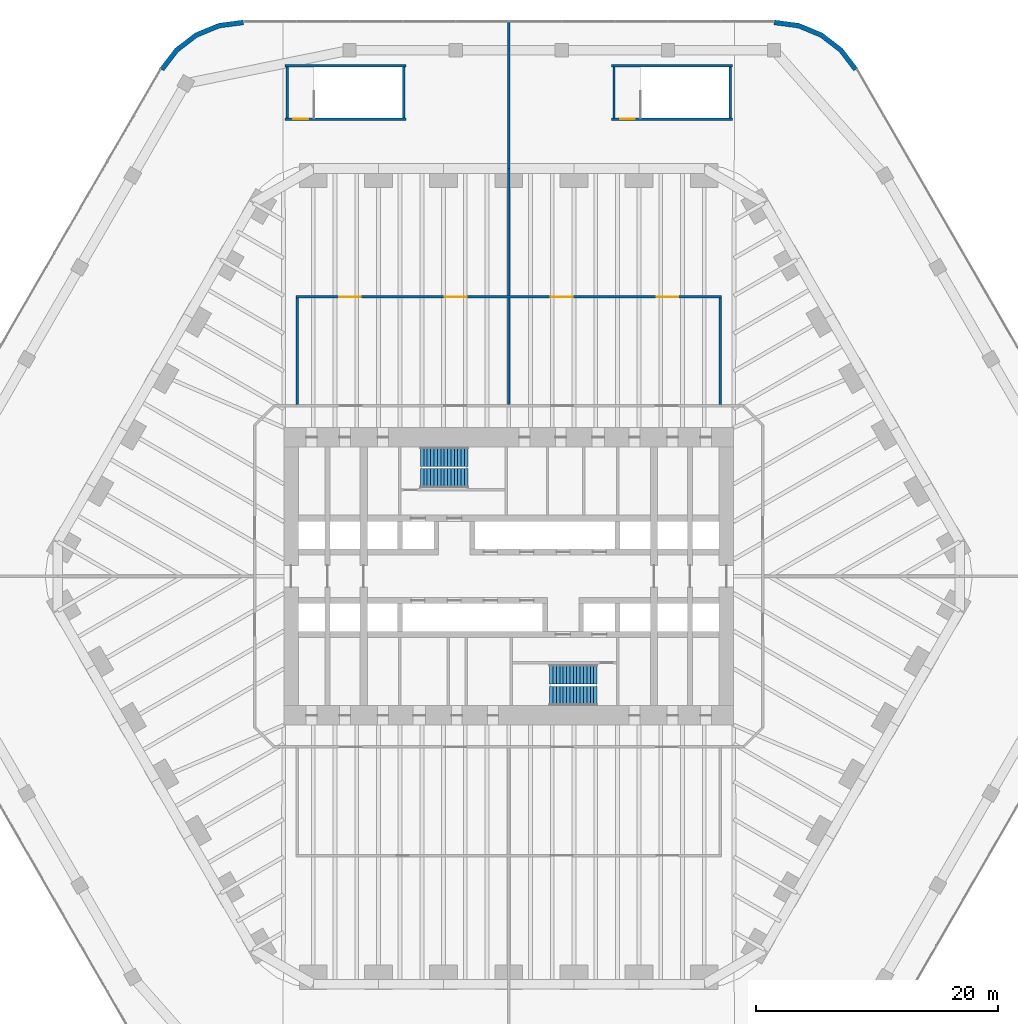
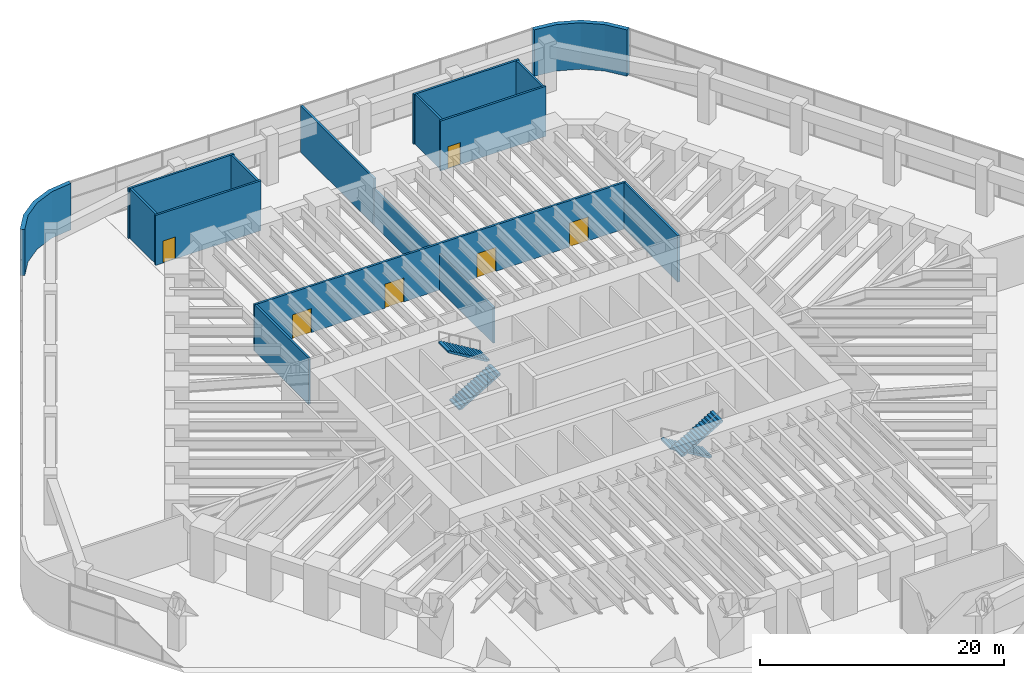
# One storey, part 30 of 31: 16 walls, 6 doors, 4 stair flights, 6 openings, 2 elements without a shape of their own.
"""IFC4 building model written with IfcOpenShell, lengths in metres."""

from ifc_helpers import new_model, si_unit, direction, frame, frame_2d, origin, place, context, subcontext, project, spatial, polyline, rectangle, outline, extrude, material, layer, layer_set, type_object, element, fill, aggregate, save


model = new_model("IFC4")

# Units and contexts
model_context = context("Model", 3, precision=1e-05, world=origin(), true_north=direction((0.0, 1.0)))
body_context = subcontext(model_context, "Body", "Model", "MODEL_VIEW")
ifc_project = project(units=[si_unit("LENGTHUNIT", "METRE"), si_unit("AREAUNIT", "SQUARE_METRE"), si_unit("VOLUMEUNIT", "CUBIC_METRE"), si_unit("PLANEANGLEUNIT", "RADIAN"), si_unit("MASSUNIT", "GRAM", prefix="KILO")], contexts=[model_context])

# Site, building, storey
site_placement = place(None, origin())
site = spatial("IfcSite", under=ifc_project, at=site_placement, CompositionType="ELEMENT")
building_placement = place(site_placement, origin())
building = spatial("IfcBuilding", under=site, at=building_placement, Name="Tarfa Lantern Tower", CompositionType="ELEMENT")
storey_placement = place(building_placement, frame((0.0, 0.0, 18.5)))
storey = spatial("IfcBuildingStorey", under=building, at=storey_placement, Name="L03", CompositionType="ELEMENT", Elevation=18.5)

# Walls
ifc_material_1 = material(Name="Limestone cladding on blockwork", Category="masonry")
ifc_layer_1 = layer(ifc_material_1, 0.39990234375)
ifc_layer_set_1 = layer_set([ifc_layer_1], Name="EW2 CURVED STONE CORNER 400")
wall_type_1 = type_object("IfcWallType", Name="EW2 CURVED STONE CORNER 400", PredefinedType="SOLIDWALL", material=ifc_layer_set_1)
wall_1_placement = place(storey_placement, origin())
element("IfcWall", 1, at=wall_1_placement, inside=storey, type_object=wall_type_1, Name="Stone corner NE-N", PredefinedType="SOLIDWALL", context=body_context, shape_type="SweptSolid", body=[
    extrude(outline(polyline([(28.867431640625, 42.0), (27.59619140625, 43.65673828125), (25.939208984375, 44.92822265625), (24.009765625, 45.727294921875), (21.939208984375, 46.0), (21.939208984375, 45.60009765625), (23.90625, 45.341064453125), (25.7392578125, 44.581787109375), (27.313232421875, 43.3740234375), (28.52099609375, 41.800048828125), (28.867431640625, 42.0)])), origin(), (0.0, 0.0, 1.0), 4.64990234375),
])
wall_2_placement = place(storey_placement, origin())
element("IfcWall", 2, at=wall_2_placement, inside=storey, type_object=wall_type_1, Name="Stone corner N-NW", PredefinedType="SOLIDWALL", context=body_context, shape_type="SweptSolid", body=[
    extrude(outline(polyline([(-21.939208984375, 46.0), (-24.009765625, 45.727294921875), (-25.939208984375, 44.92822265625), (-27.59619140625, 43.65673828125), (-28.867431640625, 42.0), (-28.52099609375, 41.800048828125), (-27.313232421875, 43.3740234375), (-25.7392578125, 44.581787109375), (-23.90625, 45.341064453125), (-21.939208984375, 45.60009765625), (-21.939208984375, 46.0)])), origin(), (0.0, 0.0, 1.0), 4.64990234375),
])
ifc_material_2 = material(Name="Gypsum board on steel studs", Category="steel")
ifc_layer_2 = layer(ifc_material_2, 0.2099609375)
ifc_layer_set_2 = layer_set([ifc_layer_2], Name="IW2 ACOUSTIC PARTITION 200")
wall_type_2 = type_object("IfcWallType", Name="IW2 ACOUSTIC PARTITION 200", PredefinedType="PARTITIONING", material=ifc_layer_set_2)
wall_3_placement = place(storey_placement, frame((-17.5, 14.199951171875, 0.0), z_axis=(0.0, 0.0, 1.0), x_axis=(0.0, 1.0, 0.0)))
element("IfcWall", 3, at=wall_3_placement, inside=storey, type_object=wall_type_2, Name="Partition", PredefinedType="PARTITIONING", context=body_context, shape_type="SweptSolid", body=[
    extrude(rectangle(XDim=8.800048828125, YDim=0.199951171875, at=frame_2d((4.39990234375, 0.0))), origin(), (0.0, 0.0, 1.0), 4.64990234375),
])
wall_4_placement = place(storey_placement, frame((0.0, 14.199951171875, 0.0), z_axis=(0.0, 0.0, 1.0), x_axis=(0.0, 1.0, 0.0)))
element("IfcWall", 4, at=wall_4_placement, inside=storey, type_object=wall_type_2, Name="Partition", PredefinedType="PARTITIONING", context=body_context, shape_type="SweptSolid", body=[
    extrude(rectangle(XDim=8.800048828125, YDim=0.199951171875, at=frame_2d((4.39990234375, 0.0))), origin(), (0.0, 0.0, 1.0), 3.593994140625),
])
wall_5_placement = place(storey_placement, frame((17.5, 14.199951171875, 0.0), z_axis=(0.0, 0.0, 1.0), x_axis=(0.0, 1.0, 0.0)))
element("IfcWall", 5, at=wall_5_placement, inside=storey, type_object=wall_type_2, Name="Partition", PredefinedType="PARTITIONING", context=body_context, shape_type="SweptSolid", body=[
    extrude(rectangle(XDim=8.800048828125, YDim=0.199951171875, at=frame_2d((4.39990234375, 0.0))), origin(), (0.0, 0.0, 1.0), 4.64990234375),
])

# Wall, openings, doors
wall_6_placement = place(storey_placement, frame((-17.60009765625, 23.10009765625, 0.0), z_axis=(0.0, 0.0, 1.0), x_axis=(1.0, 0.0, 0.0)))
wall_6 = element("IfcWall", 6, at=wall_6_placement, inside=storey, type_object=wall_type_2, Name="Partition", PredefinedType="PARTITIONING", context=body_context, shape_type="SweptSolid", body=[
    extrude(rectangle(XDim=35.2001953125, YDim=0.199951171875, at=frame_2d((17.60009765625, 0.0))), origin(), (0.0, 0.0, 1.0), 4.64990234375),
])
opening_1_placement = place(wall_6_placement, frame((3.574951171875, 0.0, 0.0)))
opening_1 = element("IfcOpeningElement", 7, at=opening_1_placement, cuts=wall_6, Name="Opening D41", PredefinedType="OPENING", context=body_context, shape_type="SweptSolid", body=[
    extrude(rectangle(XDim=1.800048828125, YDim=2.39990234375, at=frame_2d((0.89990234375, 1.199951171875))), frame((0.0, 0.10986328125, 0.0), z_axis=(0.0, -1.0, 0.0), x_axis=(1.0, 0.0, 0.0)), (0.0, 0.0, 1.0), 0.219970703125),
])
opening_2_placement = place(wall_6_placement, frame((12.324951171875, 0.0, 0.0)))
opening_2 = element("IfcOpeningElement", 8, at=opening_2_placement, cuts=wall_6, Name="Opening D42", PredefinedType="OPENING", context=body_context, shape_type="SweptSolid", body=[
    extrude(rectangle(XDim=1.800048828125, YDim=2.39990234375, at=frame_2d((0.89990234375, 1.199951171875))), frame((0.0, 0.10986328125, 0.0), z_axis=(0.0, -1.0, 0.0), x_axis=(1.0, 0.0, 0.0)), (0.0, 0.0, 1.0), 0.219970703125),
])
opening_3_placement = place(wall_6_placement, frame((21.074951171875, 0.0, 0.0)))
opening_3 = element("IfcOpeningElement", 9, at=opening_3_placement, cuts=wall_6, Name="Opening D43", PredefinedType="OPENING", context=body_context, shape_type="SweptSolid", body=[
    extrude(rectangle(XDim=1.800048828125, YDim=2.39990234375, at=frame_2d((0.89990234375, 1.199951171875))), frame((0.0, 0.10986328125, 0.0), z_axis=(0.0, -1.0, 0.0), x_axis=(1.0, 0.0, 0.0)), (0.0, 0.0, 1.0), 0.219970703125),
])
opening_4_placement = place(wall_6_placement, frame((29.824951171875, 0.0, 0.0)))
opening_4 = element("IfcOpeningElement", 10, at=opening_4_placement, cuts=wall_6, Name="Opening D44", PredefinedType="OPENING", context=body_context, shape_type="SweptSolid", body=[
    extrude(rectangle(XDim=1.800048828125, YDim=2.39990234375, at=frame_2d((0.89990234375, 1.199951171875))), frame((0.0, 0.10986328125, 0.0), z_axis=(0.0, -1.0, 0.0), x_axis=(1.0, 0.0, 0.0)), (0.0, 0.0, 1.0), 0.219970703125),
])
ifc_material_3 = material(Name="Timber door", Category="wood")
door_type_1 = type_object("IfcDoorType", Name="DR2 ROOM DOOR 1800x2400", OperationType="DOUBLE_DOOR_SINGLE_SWING", PredefinedType="DOOR", material=ifc_material_3)
door_1_placement = place(opening_1_placement, frame((1.800048828125, 0.0, 0.0), z_axis=(0.0, 0.0, 1.0), x_axis=(-1.0, 0.0, 0.0)))
door_1 = element("IfcDoor", 11, at=door_1_placement, inside=storey, type_object=door_type_1, Name="Training room door", OperationType="DOUBLE_DOOR_SINGLE_SWING", OverallHeight=2.39990234375, OverallWidth=1.800048828125, PredefinedType="DOOR", context=body_context, shape_type="SweptSolid", body=[
    extrude(rectangle(XDim=1.800048828125, YDim=2.39990234375, at=frame_2d((0.89990234375, 1.199951171875))), frame((0.0, 0.02490234375, 0.0), z_axis=(0.0, -1.0, 0.0), x_axis=(1.0, 0.0, 0.0)), (0.0, 0.0, 1.0), 0.050048828125),
])
fill(opening_1, door_1)
door_2_placement = place(opening_2_placement, frame((1.800048828125, 0.0, 0.0), z_axis=(0.0, 0.0, 1.0), x_axis=(-1.0, 0.0, 0.0)))
door_2 = element("IfcDoor", 12, at=door_2_placement, inside=storey, type_object=door_type_1, Name="Training room door", OperationType="DOUBLE_DOOR_SINGLE_SWING", OverallHeight=2.39990234375, OverallWidth=1.800048828125, PredefinedType="DOOR", context=body_context, shape_type="SweptSolid", body=[
    extrude(rectangle(XDim=1.800048828125, YDim=2.39990234375, at=frame_2d((0.89990234375, 1.199951171875))), frame((0.0, 0.02490234375, 0.0), z_axis=(0.0, -1.0, 0.0), x_axis=(1.0, 0.0, 0.0)), (0.0, 0.0, 1.0), 0.050048828125),
])
fill(opening_2, door_2)
door_3_placement = place(opening_3_placement, frame((1.800048828125, 0.0, 0.0), z_axis=(0.0, 0.0, 1.0), x_axis=(-1.0, 0.0, 0.0)))
door_3 = element("IfcDoor", 13, at=door_3_placement, inside=storey, type_object=door_type_1, Name="Training room door", OperationType="DOUBLE_DOOR_SINGLE_SWING", OverallHeight=2.39990234375, OverallWidth=1.800048828125, PredefinedType="DOOR", context=body_context, shape_type="SweptSolid", body=[
    extrude(rectangle(XDim=1.800048828125, YDim=2.39990234375, at=frame_2d((0.89990234375, 1.199951171875))), frame((0.0, 0.02490234375, 0.0), z_axis=(0.0, -1.0, 0.0), x_axis=(1.0, 0.0, 0.0)), (0.0, 0.0, 1.0), 0.050048828125),
])
fill(opening_3, door_3)
door_4_placement = place(opening_4_placement, frame((1.800048828125, 0.0, 0.0), z_axis=(0.0, 0.0, 1.0), x_axis=(-1.0, 0.0, 0.0)))
door_4 = element("IfcDoor", 14, at=door_4_placement, inside=storey, type_object=door_type_1, Name="Training room door", OperationType="DOUBLE_DOOR_SINGLE_SWING", OverallHeight=2.39990234375, OverallWidth=1.800048828125, PredefinedType="DOOR", context=body_context, shape_type="SweptSolid", body=[
    extrude(rectangle(XDim=1.800048828125, YDim=2.39990234375, at=frame_2d((0.89990234375, 1.199951171875))), frame((0.0, 0.02490234375, 0.0), z_axis=(0.0, -1.0, 0.0), x_axis=(1.0, 0.0, 0.0)), (0.0, 0.0, 1.0), 0.050048828125),
])
fill(opening_4, door_4)

# Walls
wall_7_placement = place(storey_placement, frame((0.0, 23.199951171875, 0.0), z_axis=(0.0, 0.0, 1.0), x_axis=(0.0, 1.0, 0.0)))
element("IfcWall", 15, at=wall_7_placement, inside=storey, type_object=wall_type_2, Name="Partition", PredefinedType="PARTITIONING", context=body_context, shape_type="SweptSolid", body=[
    extrude(rectangle(XDim=10.52001953125, YDim=0.199951171875, at=frame_2d((5.260009765625, 0.0))), origin(), (0.0, 0.0, 1.0), 3.593994140625),
])
wall_8_placement = place(storey_placement, frame((0.0, 33.719970703125, 0.0), z_axis=(0.0, 0.0, 1.0), x_axis=(0.0, 1.0, 0.0)))
element("IfcWall", 16, at=wall_8_placement, inside=storey, type_object=wall_type_2, Name="Partition", PredefinedType="PARTITIONING", context=body_context, shape_type="SweptSolid", body=[
    extrude(rectangle(XDim=12.090087890625, YDim=0.199951171875, at=frame_2d((6.044921875, 0.0))), origin(), (0.0, 0.0, 1.0), 4.64990234375),
])

# Wall, opening, door
ifc_material_4 = material(Name="Concrete C80/95", Category="concrete")
ifc_layer_3 = layer(ifc_material_4, 0.199951171875)
ifc_layer_set_3 = layer_set([ifc_layer_3], Name="SW12 CORE WALL 200")
wall_type_3 = type_object("IfcWallType", Name="SW12 CORE WALL 200", PredefinedType="SHEAR", material=ifc_layer_set_3)
wall_9_placement = place(storey_placement, frame((8.5, 37.800048828125, 0.0), z_axis=(0.0, 0.0, 1.0), x_axis=(1.0, 0.0, 0.0)))
wall_9 = element("IfcWall", 17, at=wall_9_placement, inside=storey, type_object=wall_type_3, Name="Stair ST3 shaft wall", PredefinedType="SHEAR", context=body_context, shape_type="SweptSolid", body=[
    extrude(rectangle(XDim=10.0, YDim=0.199951171875, at=frame_2d((5.0, 0.0))), origin(), (0.0, 0.0, 1.0), 5.0),
])
opening_5_placement = place(wall_9_placement, frame((0.699951171875, 0.0, 0.0)))
opening_5 = element("IfcOpeningElement", 18, at=opening_5_placement, cuts=wall_9, Name="Opening D29", PredefinedType="OPENING", context=body_context, shape_type="SweptSolid", body=[
    extrude(rectangle(XDim=1.199951171875, YDim=2.199951171875, at=frame_2d((0.60009765625, 1.10009765625))), frame((0.0, 0.10986328125, 0.0), z_axis=(0.0, -1.0, 0.0), x_axis=(1.0, 0.0, 0.0)), (0.0, 0.0, 1.0), 0.219970703125),
])
ifc_material_5 = material(Name="Steel fire door", Category="steel")
door_type_2 = type_object("IfcDoorType", Name="DF9 STAIR DOOR 1200x2200", OperationType="SINGLE_SWING_LEFT", PredefinedType="DOOR", material=ifc_material_5)
door_5_placement = place(opening_5_placement, frame((1.199951171875, 0.0, 0.0), z_axis=(0.0, 0.0, 1.0), x_axis=(-1.0, 0.0, 0.0)))
door_5 = element("IfcDoor", 19, at=door_5_placement, inside=storey, type_object=door_type_2, Name="Stair door", OperationType="SINGLE_SWING_LEFT", OverallHeight=2.199951171875, OverallWidth=1.199951171875, PredefinedType="DOOR", context=body_context, shape_type="SweptSolid", body=[
    extrude(rectangle(XDim=1.199951171875, YDim=2.199951171875, at=frame_2d((0.60009765625, 1.10009765625))), frame((0.0, 0.02490234375, 0.0), z_axis=(0.0, -1.0, 0.0), x_axis=(1.0, 0.0, 0.0)), (0.0, 0.0, 1.0), 0.050048828125),
])
fill(opening_5, door_5)

# Walls
wall_10_placement = place(storey_placement, frame((18.5, 42.199951171875, 0.0), z_axis=(0.0, 0.0, 1.0), x_axis=(-1.0, 0.0, 0.0)))
element("IfcWall", 20, at=wall_10_placement, inside=storey, type_object=wall_type_3, Name="Stair ST3 shaft wall", PredefinedType="SHEAR", context=body_context, shape_type="SweptSolid", body=[
    extrude(rectangle(XDim=10.0, YDim=0.199951171875, at=frame_2d((5.0, 0.0))), origin(), (0.0, 0.0, 1.0), 5.0),
])
for number, where, z_axis, x_axis, name in (
    (21, (8.699951171875, 42.10009765625, 0.0), (0.0, 0.0, 1.0), (0.0, -1.0, 0.0), "Stair ST3 shaft wall"),
    (22, (18.300048828125, 37.89990234375, 0.0), (0.0, 0.0, 1.0), (0.0, 1.0, 0.0), "Stair ST3 shaft wall"),
):
    element("IfcWall", number, at=place(storey_placement, frame(where, z_axis=z_axis, x_axis=x_axis)), inside=storey, type_object=wall_type_3, Name=name, PredefinedType="SHEAR", context=body_context, shape_type="SweptSolid", body=[
        extrude(rectangle(XDim=4.2001953125, YDim=0.199951171875, at=frame_2d((2.10009765625, 0.0))), origin(), (0.0, 0.0, 1.0), 5.0),
    ])

# Wall, opening, door
wall_11_placement = place(storey_placement, frame((-18.5, 37.800048828125, 0.0), z_axis=(0.0, 0.0, 1.0), x_axis=(1.0, 0.0, 0.0)))
wall_11 = element("IfcWall", 23, at=wall_11_placement, inside=storey, type_object=wall_type_3, Name="Stair ST4 shaft wall", PredefinedType="SHEAR", context=body_context, shape_type="SweptSolid", body=[
    extrude(rectangle(XDim=10.0, YDim=0.199951171875, at=frame_2d((5.0, 0.0))), origin(), (0.0, 0.0, 1.0), 5.0),
])
opening_6_placement = place(wall_11_placement, frame((0.699951171875, 0.0, 0.0)))
opening_6 = element("IfcOpeningElement", 24, at=opening_6_placement, cuts=wall_11, Name="Opening D30", PredefinedType="OPENING", context=body_context, shape_type="SweptSolid", body=[
    extrude(rectangle(XDim=1.199951171875, YDim=2.199951171875, at=frame_2d((0.60009765625, 1.10009765625))), frame((0.0, 0.10986328125, 0.0), z_axis=(0.0, -1.0, 0.0), x_axis=(1.0, 0.0, 0.0)), (0.0, 0.0, 1.0), 0.219970703125),
])
door_6_placement = place(opening_6_placement, frame((1.199951171875, 0.0, 0.0), z_axis=(0.0, 0.0, 1.0), x_axis=(-1.0, 0.0, 0.0)))
door_6 = element("IfcDoor", 25, at=door_6_placement, inside=storey, type_object=door_type_2, Name="Stair door", OperationType="SINGLE_SWING_LEFT", OverallHeight=2.199951171875, OverallWidth=1.199951171875, PredefinedType="DOOR", context=body_context, shape_type="SweptSolid", body=[
    extrude(rectangle(XDim=1.199951171875, YDim=2.199951171875, at=frame_2d((0.60009765625, 1.10009765625))), frame((0.0, 0.02490234375, 0.0), z_axis=(0.0, -1.0, 0.0), x_axis=(1.0, 0.0, 0.0)), (0.0, 0.0, 1.0), 0.050048828125),
])
fill(opening_6, door_6)

# Walls
wall_12_placement = place(storey_placement, frame((-8.5, 42.199951171875, 0.0), z_axis=(0.0, 0.0, 1.0), x_axis=(-1.0, 0.0, 0.0)))
element("IfcWall", 26, at=wall_12_placement, inside=storey, type_object=wall_type_3, Name="Stair ST4 shaft wall", PredefinedType="SHEAR", context=body_context, shape_type="SweptSolid", body=[
    extrude(rectangle(XDim=10.0, YDim=0.199951171875, at=frame_2d((5.0, 0.0))), origin(), (0.0, 0.0, 1.0), 5.0),
])
for number, where, z_axis, x_axis, name in (
    (27, (-18.300048828125, 42.10009765625, 0.0), (0.0, 0.0, 1.0), (0.0, -1.0, 0.0), "Stair ST4 shaft wall"),
    (28, (-8.699951171875, 37.89990234375, 0.0), (0.0, 0.0, 1.0), (0.0, 1.0, 0.0), "Stair ST4 shaft wall"),
):
    element("IfcWall", number, at=place(storey_placement, frame(where, z_axis=z_axis, x_axis=x_axis)), inside=storey, type_object=wall_type_3, Name=name, PredefinedType="SHEAR", context=body_context, shape_type="SweptSolid", body=[
        extrude(rectangle(XDim=4.2001953125, YDim=0.199951171875, at=frame_2d((2.10009765625, 0.0))), origin(), (0.0, 0.0, 1.0), 5.0),
    ])

# Stair, stair flights
ifc_material_6 = material(Name="Concrete C40/50", Category="concrete")
stair_type = type_object("IfcStairType", Name="ST-T9 HALF-TURN STAIR 5000 RISE", PredefinedType="HALF_TURN_STAIR", material=ifc_material_6)
stair_1_placement = place(storey_placement, origin())
stair_1 = element("IfcStair", 29, at=stair_1_placement, inside=storey, type_object=stair_type, Name="Stair ST1", PredefinedType="HALF_TURN_STAIR")
stair_flight_type = type_object("IfcStairFlightType", Name="SF1 STAIR FLIGHT", PredefinedType="STRAIGHT", material=ifc_material_6)
stair_flight_1_placement = place(storey_placement, frame((-7.300048828125, 8.10009765625, 0.0), z_axis=(0.0, 0.0, 1.0), x_axis=(1.0, 0.0, 0.0)))
stair_flight_1 = element("IfcStairFlight", 30, at=stair_flight_1_placement, type_object=stair_flight_type, Name="ST1 flight 1", NumberOfRisers=15, NumberOfTreads=14, PredefinedType="STRAIGHT", RiserHeight=0.166666667, TreadLength=0.28, context=body_context, shape_type="SweptSolid", body=[
    extrude(outline(polyline([(0.0, 0.0), (0.0, 0.166748046875), (0.280029296875, 0.166748046875), (0.280029296875, 0.333251953125), (0.56005859375, 0.333251953125), (0.56005859375, 0.5), (0.840087890625, 0.5), (0.840087890625, 0.666748046875), (1.1201171875, 0.666748046875), (1.1201171875, 0.833251953125), (1.39990234375, 0.833251953125), (1.39990234375, 1.0), (1.679931640625, 1.0), (1.679931640625, 1.166748046875), (1.9599609375, 1.166748046875), (1.9599609375, 1.333251953125), (2.239990234375, 1.333251953125), (2.239990234375, 1.5), (2.52001953125, 1.5), (2.52001953125, 1.666748046875), (2.800048828125, 1.666748046875), (2.800048828125, 1.833251953125), (3.080078125, 1.833251953125), (3.080078125, 2.0), (3.360107421875, 2.0), (3.360107421875, 2.166748046875), (3.639892578125, 2.166748046875), (3.639892578125, 2.333251953125), (3.919921875, 2.333251953125), (3.919921875, 2.5), (3.919921875, 2.158935546875), (0.29296875, 0.0), (0.0, 0.0)])), frame((0.0, 0.800048828125, 0.0), z_axis=(0.0, -1.0, 0.0), x_axis=(1.0, 0.0, 0.0)), (0.0, 0.0, 1.0), 1.60009765625),
])
stair_flight_2_placement = place(storey_placement, frame((-3.3798828125, 9.89990234375, 2.5), z_axis=(0.0, 0.0, 1.0), x_axis=(-1.0, 0.0, 0.0)))
stair_flight_2 = element("IfcStairFlight", 31, at=stair_flight_2_placement, type_object=stair_flight_type, Name="ST1 flight 2", NumberOfRisers=15, NumberOfTreads=14, PredefinedType="STRAIGHT", RiserHeight=0.166666667, TreadLength=0.28, context=body_context, shape_type="SweptSolid", body=[
    extrude(outline(polyline([(0.0, 0.0), (0.0, 0.166748046875), (0.280029296875, 0.166748046875), (0.280029296875, 0.333251953125), (0.56005859375, 0.333251953125), (0.56005859375, 0.5), (0.840087890625, 0.5), (0.840087890625, 0.666748046875), (1.1201171875, 0.666748046875), (1.1201171875, 0.833251953125), (1.39990234375, 0.833251953125), (1.39990234375, 1.0), (1.679931640625, 1.0), (1.679931640625, 1.166748046875), (1.9599609375, 1.166748046875), (1.9599609375, 1.333251953125), (2.239990234375, 1.333251953125), (2.239990234375, 1.5), (2.52001953125, 1.5), (2.52001953125, 1.666748046875), (2.800048828125, 1.666748046875), (2.800048828125, 1.833251953125), (3.080078125, 1.833251953125), (3.080078125, 2.0), (3.360107421875, 2.0), (3.360107421875, 2.166748046875), (3.639892578125, 2.166748046875), (3.639892578125, 2.333251953125), (3.919921875, 2.333251953125), (3.919921875, 2.5), (3.919921875, 2.158935546875), (0.29296875, 0.0), (0.0, 0.0)])), frame((0.0, 0.800048828125, 0.0), z_axis=(0.0, -1.0, 0.0), x_axis=(1.0, 0.0, 0.0)), (0.0, 0.0, 1.0), 1.60009765625),
])
aggregate(stair_1, [stair_flight_1, stair_flight_2])

stair_2_placement = place(storey_placement, origin())
stair_2 = element("IfcStair", 32, at=stair_2_placement, inside=storey, type_object=stair_type, Name="Stair ST2", PredefinedType="HALF_TURN_STAIR")
stair_flight_3_placement = place(storey_placement, frame((7.300048828125, -8.10009765625, 0.0), z_axis=(0.0, 0.0, 1.0), x_axis=(-1.0, 0.0, 0.0)))
stair_flight_3 = element("IfcStairFlight", 33, at=stair_flight_3_placement, type_object=stair_flight_type, Name="ST2 flight 1", NumberOfRisers=15, NumberOfTreads=14, PredefinedType="STRAIGHT", RiserHeight=0.166666667, TreadLength=0.28, context=body_context, shape_type="SweptSolid", body=[
    extrude(outline(polyline([(0.0, 0.0), (0.0, 0.166748046875), (0.280029296875, 0.166748046875), (0.280029296875, 0.333251953125), (0.56005859375, 0.333251953125), (0.56005859375, 0.5), (0.840087890625, 0.5), (0.840087890625, 0.666748046875), (1.1201171875, 0.666748046875), (1.1201171875, 0.833251953125), (1.39990234375, 0.833251953125), (1.39990234375, 1.0), (1.679931640625, 1.0), (1.679931640625, 1.166748046875), (1.9599609375, 1.166748046875), (1.9599609375, 1.333251953125), (2.239990234375, 1.333251953125), (2.239990234375, 1.5), (2.52001953125, 1.5), (2.52001953125, 1.666748046875), (2.800048828125, 1.666748046875), (2.800048828125, 1.833251953125), (3.080078125, 1.833251953125), (3.080078125, 2.0), (3.360107421875, 2.0), (3.360107421875, 2.166748046875), (3.639892578125, 2.166748046875), (3.639892578125, 2.333251953125), (3.919921875, 2.333251953125), (3.919921875, 2.5), (3.919921875, 2.158935546875), (0.29296875, 0.0), (0.0, 0.0)])), frame((0.0, 0.800048828125, 0.0), z_axis=(0.0, -1.0, 0.0), x_axis=(1.0, 0.0, 0.0)), (0.0, 0.0, 1.0), 1.60009765625),
])
stair_flight_4_placement = place(storey_placement, frame((3.3798828125, -9.89990234375, 2.5), z_axis=(0.0, 0.0, 1.0), x_axis=(1.0, 0.0, 0.0)))
stair_flight_4 = element("IfcStairFlight", 34, at=stair_flight_4_placement, type_object=stair_flight_type, Name="ST2 flight 2", NumberOfRisers=15, NumberOfTreads=14, PredefinedType="STRAIGHT", RiserHeight=0.166666667, TreadLength=0.28, context=body_context, shape_type="SweptSolid", body=[
    extrude(outline(polyline([(0.0, 0.0), (0.0, 0.166748046875), (0.280029296875, 0.166748046875), (0.280029296875, 0.333251953125), (0.56005859375, 0.333251953125), (0.56005859375, 0.5), (0.840087890625, 0.5), (0.840087890625, 0.666748046875), (1.1201171875, 0.666748046875), (1.1201171875, 0.833251953125), (1.39990234375, 0.833251953125), (1.39990234375, 1.0), (1.679931640625, 1.0), (1.679931640625, 1.166748046875), (1.9599609375, 1.166748046875), (1.9599609375, 1.333251953125), (2.239990234375, 1.333251953125), (2.239990234375, 1.5), (2.52001953125, 1.5), (2.52001953125, 1.666748046875), (2.800048828125, 1.666748046875), (2.800048828125, 1.833251953125), (3.080078125, 1.833251953125), (3.080078125, 2.0), (3.360107421875, 2.0), (3.360107421875, 2.166748046875), (3.639892578125, 2.166748046875), (3.639892578125, 2.333251953125), (3.919921875, 2.333251953125), (3.919921875, 2.5), (3.919921875, 2.158935546875), (0.29296875, 0.0), (0.0, 0.0)])), frame((0.0, 0.800048828125, 0.0), z_axis=(0.0, -1.0, 0.0), x_axis=(1.0, 0.0, 0.0)), (0.0, 0.0, 1.0), 1.60009765625),
])
aggregate(stair_2, [stair_flight_3, stair_flight_4])

save(model, "model.ifc")
